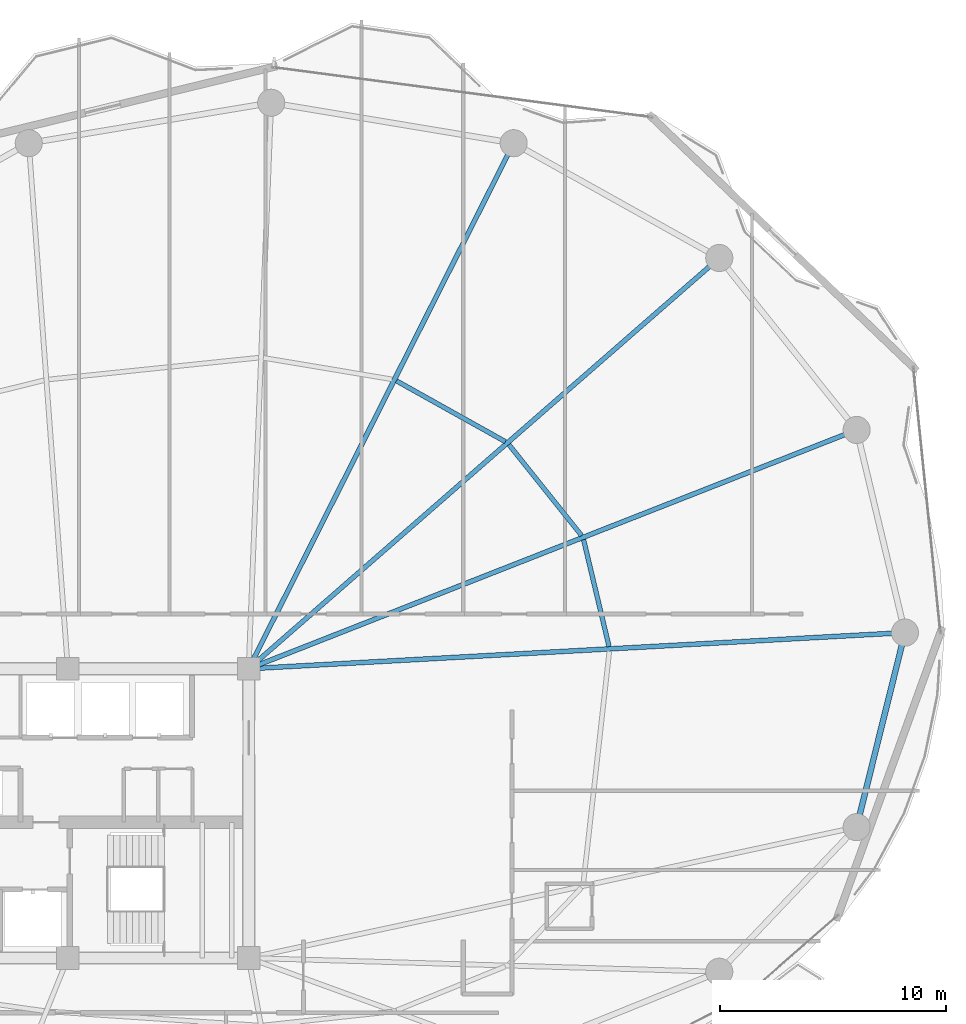
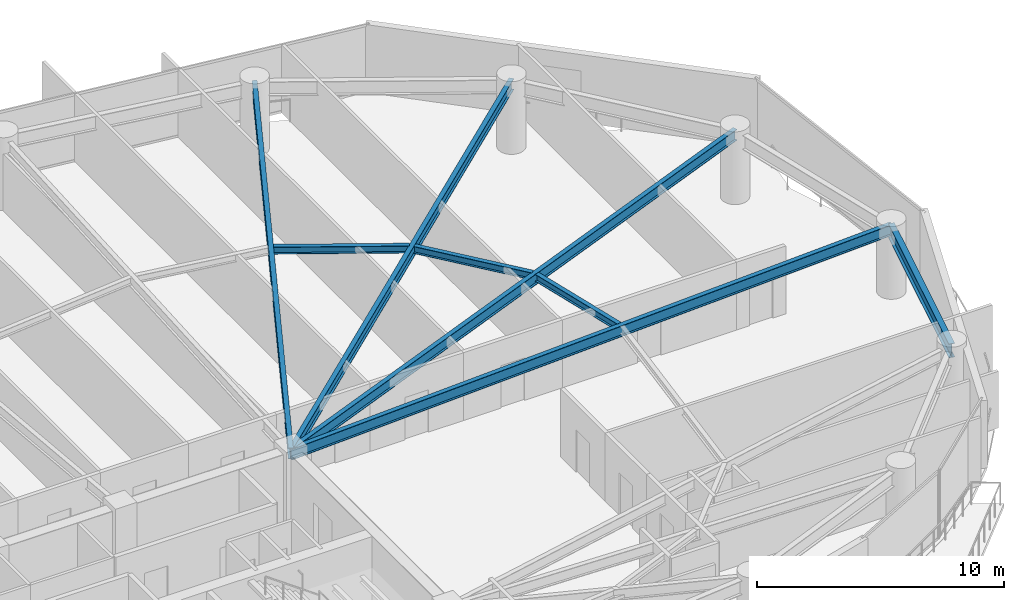
# One storey, part 14 of 31: 8 beams.
"""IFC4 building model written with IfcOpenShell, lengths in metres."""

from ifc_helpers import new_model, si_unit, direction, frame, origin, origin_2d, place, context, subcontext, project, spatial, i_section, extrude, material, material_profile, profile_set, type_object, element, save


model = new_model("IFC4")

# Units and contexts
model_context = context("Model", 3, precision=1e-05, world=origin(), true_north=direction((0.0, 1.0)))
body_context = subcontext(model_context, "Body", "Model", "MODEL_VIEW")
ifc_project = project(units=[si_unit("LENGTHUNIT", "METRE"), si_unit("AREAUNIT", "SQUARE_METRE"), si_unit("VOLUMEUNIT", "CUBIC_METRE"), si_unit("PLANEANGLEUNIT", "RADIAN"), si_unit("MASSUNIT", "GRAM", prefix="KILO")], contexts=[model_context])

# Site, building, storey
site_placement = place(None, origin())
site = spatial("IfcSite", under=ifc_project, at=site_placement, CompositionType="ELEMENT")
building_placement = place(site_placement, origin())
building = spatial("IfcBuilding", under=site, at=building_placement, Name="Kazevale Care Tower and Concert Hall", CompositionType="ELEMENT")
storey_placement = place(building_placement, frame((0.0, 0.0, 117.0)))
storey = spatial("IfcBuildingStorey", under=building, at=storey_placement, Name="L30", CompositionType="ELEMENT", Elevation=117.0)

# Beams
ifc_material = material(Name="Steel ASTM A572 Gr 50", Category="steel")
ifc_material_profile_1 = material_profile(ifc_material, i_section(OverallWidth=0.2119140625, OverallDepth=0.5439453125, WebThickness=0.01318359375, FlangeThickness=0.021240234375, at=origin_2d()), Name="W530x123")
ifc_profile_set_1 = profile_set([ifc_material_profile_1], Name="Steel ASTM A572 Gr 50")
beam_type_1 = type_object("IfcBeamType", Name="Radial Floor Girder W530x123", PredefinedType="BEAM", material=ifc_profile_set_1)
beam_1_placement = place(storey_placement, frame((44.0, 36.39990234375, 3.087890625), z_axis=(0.998486500016, 0.054997357076, 0.0), x_axis=(-0.054997357076, 0.998486500016, 0.0)))
element("IfcBeam", 1, at=beam_1_placement, inside=storey, type_object=beam_type_1, Name="beam:L30:rad:01", PredefinedType="BEAM", context=body_context, shape_type="SweptSolid", body=[
    extrude(i_section(OverallWidth=0.2119140625, OverallDepth=0.5439453125, WebThickness=0.01318359375, FlangeThickness=0.021240234375, at=origin_2d()), origin(), (0.0, 0.0, 1.0), 29.093994140625),
])
beam_2_placement = place(storey_placement, frame((44.0, 36.39990234375, 3.087890625), z_axis=(0.930771301513, 0.36560194786, 0.0), x_axis=(-0.36560194786, 0.930771301513, 0.0)))
element("IfcBeam", 2, at=beam_2_placement, inside=storey, type_object=beam_type_1, Name="beam:L30:rad:02", PredefinedType="BEAM", context=body_context, shape_type="SweptSolid", body=[
    extrude(i_section(OverallWidth=0.2119140625, OverallDepth=0.5439453125, WebThickness=0.01318359375, FlangeThickness=0.021240234375, at=origin_2d()), origin(), (0.0, 0.0, 1.0), 28.911376953125),
])
beam_3_placement = place(storey_placement, frame((44.0, 36.39990234375, 3.087890625), z_axis=(0.753403181998, 0.657558853149, 0.0), x_axis=(-0.657558853149, 0.753403181998, 0.0)))
element("IfcBeam", 3, at=beam_3_placement, inside=storey, type_object=beam_type_1, Name="beam:L30:rad:03", PredefinedType="BEAM", context=body_context, shape_type="SweptSolid", body=[
    extrude(i_section(OverallWidth=0.2119140625, OverallDepth=0.5439453125, WebThickness=0.01318359375, FlangeThickness=0.021240234375, at=origin_2d()), origin(), (0.0, 0.0, 1.0), 27.64794921875),
])
beam_4_placement = place(storey_placement, frame((44.0, 36.39990234375, 3.087890625), z_axis=(0.450281187568, 0.892886808124, 0.0), x_axis=(-0.892886808124, 0.450281187568, 0.0)))
element("IfcBeam", 4, at=beam_4_placement, inside=storey, type_object=beam_type_1, Name="beam:L30:rad:04", PredefinedType="BEAM", context=body_context, shape_type="SweptSolid", body=[
    extrude(i_section(OverallWidth=0.2119140625, OverallDepth=0.5439453125, WebThickness=0.01318359375, FlangeThickness=0.021240234375, at=origin_2d()), origin(), (0.0, 0.0, 1.0), 26.05029296875),
])
ifc_material_profile_2 = material_profile(ifc_material, i_section(OverallWidth=0.205078125, OverallDepth=0.35400390625, WebThickness=0.009521484375, FlangeThickness=0.016845703125, at=origin_2d()), Name="W360x79")
ifc_profile_set_2 = profile_set([ifc_material_profile_2], Name="Steel ASTM A572 Gr 50")
beam_type_2 = type_object("IfcBeamType", Name="Secondary Floor Joist W360x79", PredefinedType="JOIST", material=ifc_profile_set_2)
beam_5_placement = place(storey_placement, frame((59.952880859375, 37.382080078125, 3.18310546875), z_axis=(-0.232005223279, 0.972714540023, 0.0), x_axis=(-0.972714540023, -0.232005223279, 0.0)))
element("IfcBeam", 5, at=beam_5_placement, inside=storey, type_object=beam_type_2, Name="beam:L30:joist:01", PredefinedType="JOIST", context=body_context, shape_type="SweptSolid", body=[
    extrude(i_section(OverallWidth=0.205078125, OverallDepth=0.35400390625, WebThickness=0.009521484375, FlangeThickness=0.016845703125, at=origin_2d()), origin(), (0.0, 0.0, 1.0), 4.861572265625),
])
beam_6_placement = place(storey_placement, frame((58.735107421875, 42.2958984375, 3.18310546875), z_axis=(-0.624261115922, 0.781215757104, 0.0), x_axis=(-0.781215757104, -0.624261115922, 0.0)))
element("IfcBeam", 6, at=beam_6_placement, inside=storey, type_object=beam_type_2, Name="beam:L30:joist:02", PredefinedType="JOIST", context=body_context, shape_type="SweptSolid", body=[
    extrude(i_section(OverallWidth=0.205078125, OverallDepth=0.35400390625, WebThickness=0.009521484375, FlangeThickness=0.016845703125, at=origin_2d()), origin(), (0.0, 0.0, 1.0), 5.147216796875),
])
beam_7_placement = place(storey_placement, frame((55.364990234375, 46.449951171875, 3.18310546875), z_axis=(-0.873137755824, 0.487473547338, 0.0), x_axis=(-0.487473547338, -0.873137755824, 0.0)))
element("IfcBeam", 7, at=beam_7_placement, inside=storey, type_object=beam_type_2, Name="beam:L30:joist:03", PredefinedType="JOIST", context=body_context, shape_type="SweptSolid", body=[
    extrude(i_section(OverallWidth=0.205078125, OverallDepth=0.35400390625, WebThickness=0.009521484375, FlangeThickness=0.016845703125, at=origin_2d()), origin(), (0.0, 0.0, 1.0), 5.522705078125),
])
ifc_material_profile_3 = material_profile(ifc_material, i_section(OverallWidth=0.256103515625, OverallDepth=0.693115234375, WebThickness=0.014404296875, FlangeThickness=0.023681640625, at=origin_2d()), Name="W690x170")
ifc_profile_set_3 = profile_set([ifc_material_profile_3], Name="Steel ASTM A572 Gr 50")
beam_type_3 = type_object("IfcBeamType", Name="Waist Ring Beam W690x170", PredefinedType="BEAM", material=ifc_profile_set_3)
beam_8_placement = place(storey_placement, frame((70.909912109375, 29.389892578125, 3.013427734375), z_axis=(0.241221022882, 0.970470204653, 0.0), x_axis=(-0.970470204653, 0.241221022882, 0.0)))
element("IfcBeam", 8, at=beam_8_placement, inside=storey, type_object=beam_type_3, Name="beam:L30:ring:16", PredefinedType="BEAM", context=body_context, shape_type="SweptSolid", body=[
    extrude(i_section(OverallWidth=0.256103515625, OverallDepth=0.693115234375, WebThickness=0.014404296875, FlangeThickness=0.023681640625, at=origin_2d()), origin(), (0.0, 0.0, 1.0), 8.8720703125),
])

save(model, "model.ifc")
